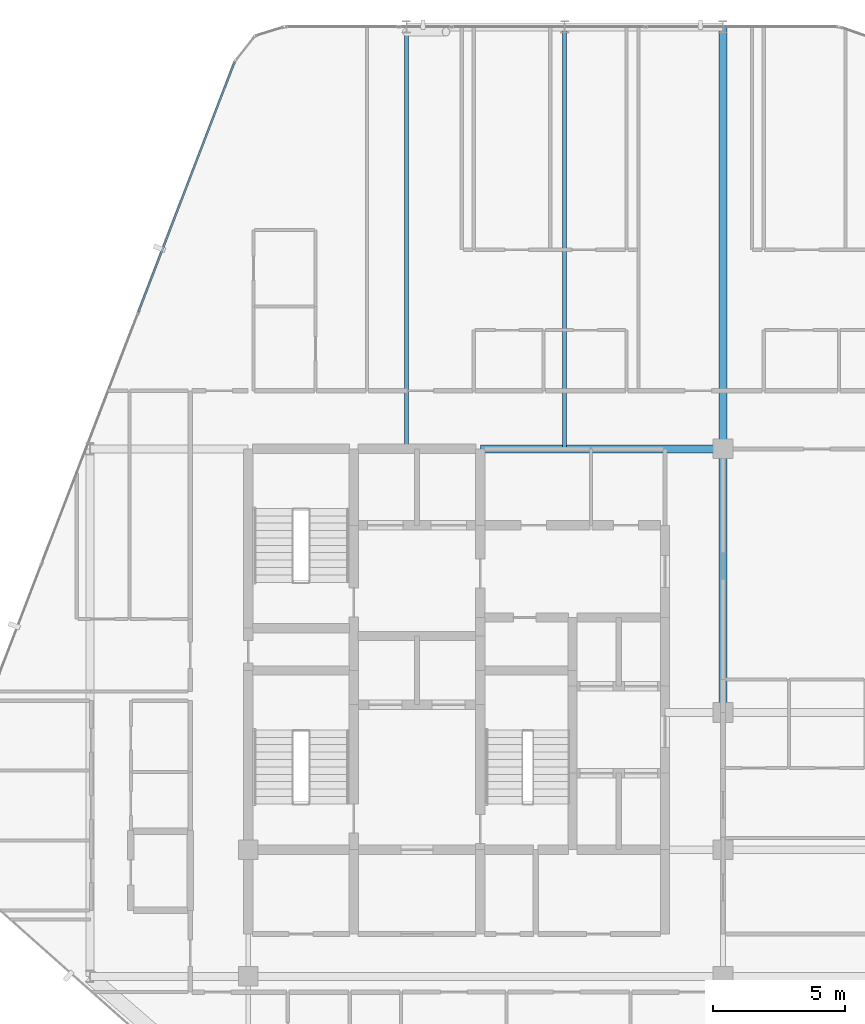
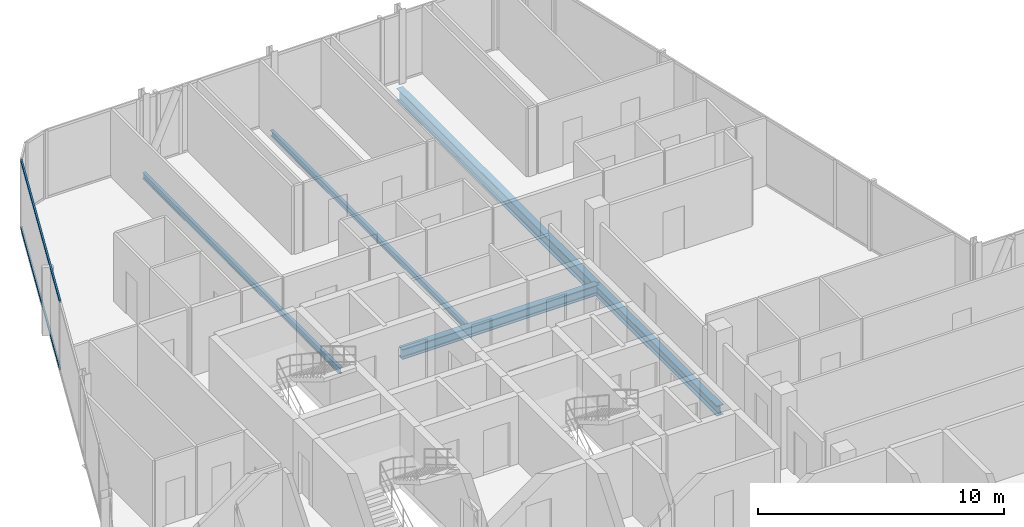
# One storey, part 17 of 29: 5 beams, 2 members, 1 element without a shape of its own.
"""IFC4 building model written with IfcOpenShell, lengths in metres."""

from ifc_helpers import new_model, si_unit, direction, frame, origin, origin_2d, place, context, subcontext, project, spatial, hollow_rectangle, i_section, extrude, material, layer, layer_set, material_profile, profile_set, type_object, element, aggregate, save


model = new_model("IFC4")

# Units and contexts
model_context = context("Model", 3, precision=1e-05, world=origin(), true_north=direction((0.0, 1.0)))
body_context = subcontext(model_context, "Body", "Model", "MODEL_VIEW")
ifc_project = project(units=[si_unit("LENGTHUNIT", "METRE"), si_unit("AREAUNIT", "SQUARE_METRE"), si_unit("VOLUMEUNIT", "CUBIC_METRE"), si_unit("PLANEANGLEUNIT", "RADIAN"), si_unit("MASSUNIT", "GRAM", prefix="KILO")], contexts=[model_context])

# Site, building, storey
site_placement = place(None, origin())
site = spatial("IfcSite", under=ifc_project, at=site_placement, CompositionType="ELEMENT")
building_placement = place(site_placement, origin())
building = spatial("IfcBuilding", under=site, at=building_placement, Name="Keshet Zoharim Tower", CompositionType="ELEMENT")
storey_placement = place(building_placement, frame((0.0, 0.0, 210.60009765625)))
storey = spatial("IfcBuildingStorey", under=building, at=storey_placement, Name="L52", CompositionType="ELEMENT", Elevation=210.60009765625)

# Beams
ifc_material_1 = material(Name="Steel S355", Category="steel")
ifc_material_profile_1 = material_profile(ifc_material_1, i_section(OverallWidth=0.14990234375, OverallDepth=0.300048828125, WebThickness=0.007080078125, FlangeThickness=0.0107421875, FilletRadius=0.014892578125, at=origin_2d()), Name="IPE300")
ifc_profile_set_1 = profile_set([ifc_material_profile_1], Name="Steel S355")
beam_type_1 = type_object("IfcBeamType", Name="BM-JST-IP300", PredefinedType="JOIST", material=ifc_profile_set_1)
for number, where, z_axis, x_axis, name in (
    (1, (21.0, 37.89990234375, -0.460205078125), (0.0, 1.0, 0.0), (-1.0, 0.0, 0.0), "L52 Secondary Floor Joist J-001"),
    (2, (27.0, 37.89990234375, -0.460205078125), (0.0, 1.0, 0.0), (-1.0, 0.0, 0.0), "L52 Secondary Floor Joist J-002"),
):
    element("IfcBeam", number, at=place(storey_placement, frame(where, z_axis=z_axis, x_axis=x_axis)), inside=storey, type_object=beam_type_1, Name=name, PredefinedType="JOIST", context=body_context, shape_type="SweptSolid", body=[
        extrude(i_section(OverallWidth=0.14990234375, OverallDepth=0.300048828125, WebThickness=0.007080078125, FlangeThickness=0.0107421875, FilletRadius=0.014892578125, at=origin_2d()), origin(), (0.0, 0.0, 1.0), 16.0),
    ])
ifc_material_profile_2 = material_profile(ifc_material_1, i_section(OverallWidth=0.300048828125, OverallDepth=0.60009765625, WebThickness=0.015380859375, FlangeThickness=0.030029296875, FilletRadius=0.027099609375, at=origin_2d()), Name="HEB600")
ifc_profile_set_2 = profile_set([ifc_material_profile_2], Name="Steel S355")
beam_type_2 = type_object("IfcBeamType", Name="BM-LNG-HB600", PredefinedType="BEAM", material=ifc_profile_set_2)
beam_1_placement = place(storey_placement, frame((33.0, 37.89990234375, -0.610107421875), z_axis=(0.0, 1.0, 0.0), x_axis=(-1.0, 0.0, 0.0)))
element("IfcBeam", 3, at=beam_1_placement, inside=storey, type_object=beam_type_2, Name="L52 Primary Girder Y-011", PredefinedType="BEAM", context=body_context, shape_type="SweptSolid", body=[
    extrude(i_section(OverallWidth=0.300048828125, OverallDepth=0.60009765625, WebThickness=0.015380859375, FlangeThickness=0.030029296875, FilletRadius=0.027099609375, at=origin_2d()), origin(), (0.0, 0.0, 1.0), 16.0),
])
ifc_material_profile_3 = material_profile(ifc_material_1, i_section(OverallWidth=0.300048828125, OverallDepth=0.5, WebThickness=0.014404296875, FlangeThickness=0.028076171875, FilletRadius=0.027099609375, at=origin_2d()), Name="HEB500")
ifc_profile_set_3 = profile_set([ifc_material_profile_3], Name="Steel S355")
beam_type_3 = type_object("IfcBeamType", Name="BM-MED-HB500", PredefinedType="BEAM", material=ifc_profile_set_3)
beam_2_placement = place(storey_placement, frame((23.800048828125, 37.89990234375, -0.56005859375), z_axis=(1.0, 0.0, 0.0), x_axis=(0.0, 1.0, 0.0)))
element("IfcBeam", 4, at=beam_2_placement, inside=storey, type_object=beam_type_3, Name="L52 Primary Girder X-018", PredefinedType="BEAM", context=body_context, shape_type="SweptSolid", body=[
    extrude(i_section(OverallWidth=0.300048828125, OverallDepth=0.5, WebThickness=0.014404296875, FlangeThickness=0.028076171875, FilletRadius=0.027099609375, at=origin_2d()), origin(), (0.0, 0.0, 1.0), 9.199951171875),
])
beam_3_placement = place(storey_placement, frame((33.0, 27.89990234375, -0.56005859375), z_axis=(0.0, 1.0, 0.0), x_axis=(-1.0, 0.0, 0.0)))
element("IfcBeam", 5, at=beam_3_placement, inside=storey, type_object=beam_type_3, Name="L52 Primary Girder Y-010", PredefinedType="BEAM", context=body_context, shape_type="SweptSolid", body=[
    extrude(i_section(OverallWidth=0.300048828125, OverallDepth=0.5, WebThickness=0.014404296875, FlangeThickness=0.028076171875, FilletRadius=0.027099609375, at=origin_2d()), origin(), (0.0, 0.0, 1.0), 10.0),
])

# Curtain wall, members
ifc_material_2 = material(Name="Aluminium 6063-T6", Category="aluminium")
ifc_layer = layer(ifc_material_2, 0.139892578125)
ifc_layer_set = layer_set([ifc_layer], Name="Aluminium 6063-T6")
curtain_wall_type = type_object("IfcCurtainWallType", Name="CW-SYS-05", PredefinedType="NOTDEFINED", material=ifc_layer_set)
curtain_wall_placement = place(storey_placement, origin())
curtain_wall = element("IfcCurtainWall", 6, at=curtain_wall_placement, inside=storey, type_object=curtain_wall_type, Name="L52 Unitised Curtain Wall 13", PredefinedType="NOTDEFINED")
ifc_material_profile_4 = material_profile(ifc_material_2, hollow_rectangle(XDim=0.074951171875, YDim=0.1201171875, WallThickness=0.00390625, at=origin_2d()), Name="TRN-75x120")
ifc_profile_set_4 = profile_set([ifc_material_profile_4], Name="Aluminium 6063-T6")
member_type = type_object("IfcMemberType", Name="CWT-T12", PredefinedType="USERDEFINED", material=ifc_profile_set_4)
member_1_placement = place(storey_placement, frame((10.849609375, 43.10888671875, 0.034912109375), z_axis=(0.358985546764, 0.933343118694, 0.0), x_axis=(-0.933343118694, 0.358985546764, 0.0)))
member_1 = element("IfcMember", 7, at=member_1_placement, type_object=member_type, Name="CW-05 transom 3.1", ObjectType="TRANSOM", PredefinedType="USERDEFINED", context=body_context, shape_type="SweptSolid", body=[
    extrude(hollow_rectangle(XDim=0.074951171875, YDim=0.1201171875, WallThickness=0.00390625, at=origin_2d()), origin(), (0.0, 0.0, 1.0), 10.118408203125),
])
member_2_placement = place(storey_placement, frame((10.849609375, 43.10888671875, 3.35498046875), z_axis=(0.358985546764, 0.933343118694, 0.0), x_axis=(-0.933343118694, 0.358985546764, 0.0)))
member_2 = element("IfcMember", 8, at=member_2_placement, type_object=member_type, Name="CW-05 transom 3.2", ObjectType="TRANSOM", PredefinedType="USERDEFINED", context=body_context, shape_type="SweptSolid", body=[
    extrude(hollow_rectangle(XDim=0.074951171875, YDim=0.1201171875, WallThickness=0.00390625, at=origin_2d()), origin(), (0.0, 0.0, 1.0), 10.118408203125),
])
aggregate(curtain_wall, [member_1, member_2])

save(model, "model.ifc")
